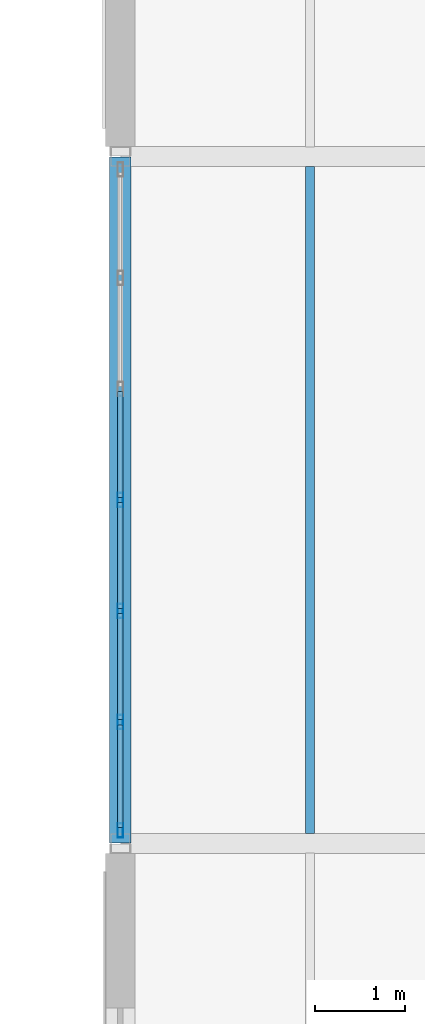
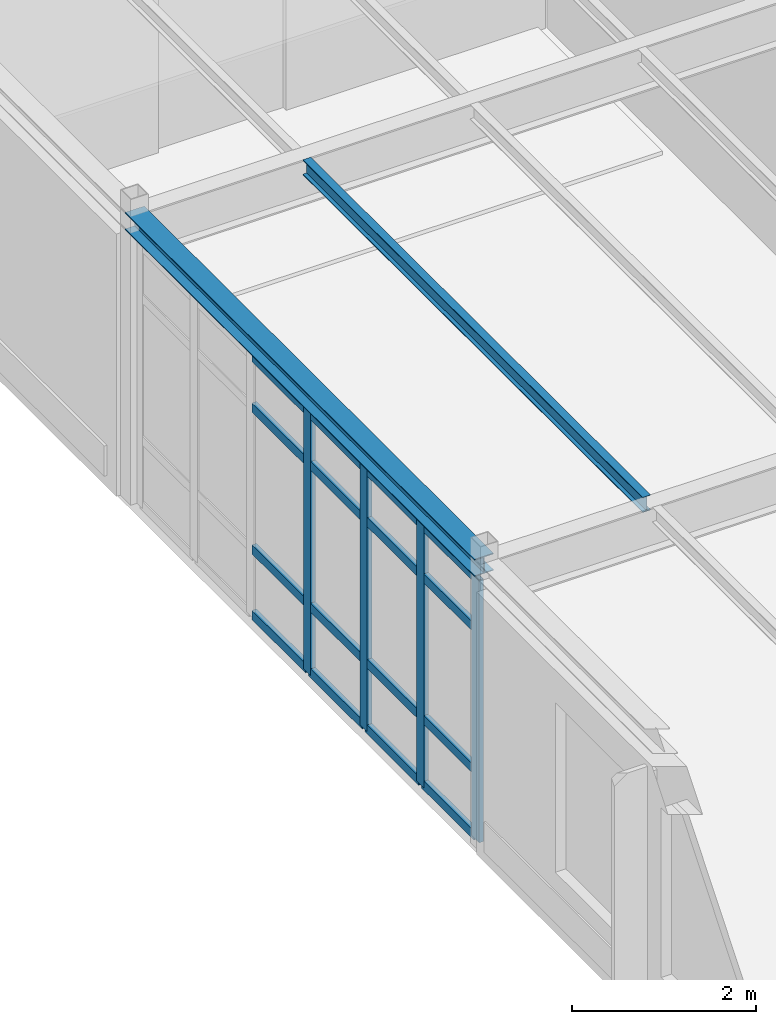
# One storey, part 36 of 114: 20 members, 2 beams, 1 element without a shape of its own.
"""IFC4 building model written with IfcOpenShell, lengths in metres."""

from ifc_helpers import new_model, si_unit, direction, frame, origin, origin_2d, place, context, subcontext, project, spatial, hollow_rectangle, i_section, extrude, material, layer, layer_set, material_profile, profile_set, type_object, element, aggregate, save


model = new_model("IFC4")

# Units and contexts
model_context = context("Model", 3, precision=1e-05, world=origin(), true_north=direction((0.0, 1.0)))
body_context = subcontext(model_context, "Body", "Model", "MODEL_VIEW")
ifc_project = project(units=[si_unit("LENGTHUNIT", "METRE"), si_unit("AREAUNIT", "SQUARE_METRE"), si_unit("VOLUMEUNIT", "CUBIC_METRE"), si_unit("PLANEANGLEUNIT", "RADIAN"), si_unit("MASSUNIT", "GRAM", prefix="KILO")], contexts=[model_context])

# Site, building, storey
site_placement = place(None, origin())
site = spatial("IfcSite", under=ifc_project, at=site_placement, CompositionType="ELEMENT")
building_placement = place(site_placement, origin())
building = spatial("IfcBuilding", under=site, at=building_placement, Name="Montecoro Central Library", CompositionType="ELEMENT")
storey_placement = place(building_placement, frame((0.0, 0.0, 13.260009765625)))
storey = spatial("IfcBuildingStorey", under=building, at=storey_placement, Name="L03", CompositionType="ELEMENT", Elevation=13.260009765625)

# Beams
ifc_material_1 = material(Name="Steel S355", Category="steel")
ifc_material_profile_1 = material_profile(ifc_material_1, i_section(OverallWidth=0.10009765625, OverallDepth=0.199951171875, WebThickness=0.005615234375, FlangeThickness=0.008544921875, at=origin_2d()), Name="IPE 200")
ifc_profile_set_1 = profile_set([ifc_material_profile_1], Name="Steel S355")
beam_type_1 = type_object("IfcBeamType", Name="BM-J-IPE200", PredefinedType="JOIST", material=ifc_profile_set_1)
beam_1_placement = place(storey_placement, frame((68.5, 96.306884765625, 3.72509765625), z_axis=(0.0, 1.0, 0.0), x_axis=(-1.0, 0.0, 0.0)))
element("IfcBeam", 1, at=beam_1_placement, inside=storey, type_object=beam_type_1, Name="V2-L03-JS-910-NP-1", PredefinedType="JOIST", context=body_context, shape_type="SweptSolid", body=[
    extrude(i_section(OverallWidth=0.10009765625, OverallDepth=0.199951171875, WebThickness=0.005615234375, FlangeThickness=0.008544921875, at=origin_2d()), origin(), (0.0, 0.0, 1.0), 7.38623046875),
])
ifc_material_profile_2 = material_profile(ifc_material_1, i_section(OverallWidth=0.239990234375, OverallDepth=0.22998046875, WebThickness=0.007568359375, FlangeThickness=0.011962890625, at=origin_2d()), Name="HEA 240")
ifc_profile_set_2 = profile_set([ifc_material_profile_2], Name="Steel S355")
beam_type_2 = type_object("IfcBeamType", Name="BM-SP-HEA240", PredefinedType="SPANDREL", material=ifc_profile_set_2)
beam_2_placement = place(storey_placement, frame((66.39990234375, 96.205078125, 3.7099609375), z_axis=(0.0, 1.0, 0.0), x_axis=(-1.0, 0.0, 0.0)))
element("IfcBeam", 2, at=beam_2_placement, inside=storey, type_object=beam_type_2, Name="V2-L03-BY-9-NP", PredefinedType="SPANDREL", context=body_context, shape_type="SweptSolid", body=[
    extrude(i_section(OverallWidth=0.239990234375, OverallDepth=0.22998046875, WebThickness=0.007568359375, FlangeThickness=0.011962890625, at=origin_2d()), origin(), (0.0, 0.0, 1.0), 7.58984375),
])

# Curtain wall, members
ifc_material_2 = material(Name="Bronze-anodised aluminium and low-E glazing", Category="aluminium")
ifc_layer = layer(ifc_material_2, 0.159912109375)
ifc_layer_set = layer_set([ifc_layer], Name="Bronze-anodised aluminium and low-E glazing")
curtain_wall_type = type_object("IfcCurtainWallType", Name="CWT-020", PredefinedType="NOTDEFINED", material=ifc_layer_set)
curtain_wall_placement = place(storey_placement, origin())
curtain_wall = element("IfcCurtainWall", 3, at=curtain_wall_placement, inside=storey, type_object=curtain_wall_type, Name="V2-L03-CW-W1", PredefinedType="NOTDEFINED")
ifc_material_3 = material(Name="Bronze-anodised aluminium", Category="aluminium")
ifc_material_profile_3 = material_profile(ifc_material_3, hollow_rectangle(XDim=0.06005859375, YDim=0.159912109375, WallThickness=0.00390625, at=origin_2d()), Name="CWM 160x60x4.0")
ifc_profile_set_3 = profile_set([ifc_material_profile_3], Name="Bronze-anodised aluminium")
member_type_1 = type_object("IfcMemberType", Name="CWM-BRZ-60", PredefinedType="MULLION", material=ifc_profile_set_3)
member_1_placement = place(storey_placement, frame((66.39990234375, 100.0, 0.0), z_axis=(0.0, 0.0, 1.0), x_axis=(1.0, 0.0, 0.0)))
member_1 = element("IfcMember", 4, at=member_1_placement, type_object=member_type_1, Name="CW-020 mullion 4", PredefinedType="MULLION", context=body_context, shape_type="SweptSolid", body=[
    extrude(hollow_rectangle(XDim=0.06005859375, YDim=0.159912109375, WallThickness=0.00390625, at=origin_2d()), origin(), (0.0, 0.0, 1.0), 3.47998046875),
])
member_2_placement = place(storey_placement, frame((66.39990234375, 98.77099609375, 0.0), z_axis=(0.0, 0.0, 1.0), x_axis=(1.0, 0.0, 0.0)))
member_2 = element("IfcMember", 5, at=member_2_placement, type_object=member_type_1, Name="CW-020 mullion 5", PredefinedType="MULLION", context=body_context, shape_type="SweptSolid", body=[
    extrude(hollow_rectangle(XDim=0.06005859375, YDim=0.159912109375, WallThickness=0.00390625, at=origin_2d()), origin(), (0.0, 0.0, 1.0), 3.47998046875),
])
member_3_placement = place(storey_placement, frame((66.39990234375, 97.5419921875, 0.0), z_axis=(0.0, 0.0, 1.0), x_axis=(1.0, 0.0, 0.0)))
member_3 = element("IfcMember", 6, at=member_3_placement, type_object=member_type_1, Name="CW-020 mullion 6", PredefinedType="MULLION", context=body_context, shape_type="SweptSolid", body=[
    extrude(hollow_rectangle(XDim=0.06005859375, YDim=0.159912109375, WallThickness=0.00390625, at=origin_2d()), origin(), (0.0, 0.0, 1.0), 3.47998046875),
])
member_4_placement = place(storey_placement, frame((66.39990234375, 96.343017578125, 0.0), z_axis=(0.0, 0.0, 1.0), x_axis=(1.0, 0.0, 0.0)))
member_4 = element("IfcMember", 7, at=member_4_placement, type_object=member_type_1, Name="CW-020 mullion 7", PredefinedType="MULLION", context=body_context, shape_type="SweptSolid", body=[
    extrude(hollow_rectangle(XDim=0.06005859375, YDim=0.159912109375, WallThickness=0.00390625, at=origin_2d()), origin(), (0.0, 0.0, 1.0), 3.47998046875),
])
ifc_material_profile_4 = material_profile(ifc_material_3, hollow_rectangle(XDim=0.06005859375, YDim=0.1201171875, WallThickness=0.00390625, at=origin_2d()), Name="CWT 120x60x4.0")
ifc_profile_set_4 = profile_set([ifc_material_profile_4], Name="Bronze-anodised aluminium")
member_type_2 = type_object("IfcMemberType", Name="CWT-BRZ-60", PredefinedType="USERDEFINED", material=ifc_profile_set_4)
member_5_placement = place(storey_placement, frame((66.39990234375, 101.198974609375, 0.030029296875), z_axis=(0.0, -1.0, 0.0), x_axis=(1.0, 0.0, 0.0)))
member_5 = element("IfcMember", 8, at=member_5_placement, type_object=member_type_2, Name="CW-020 transom 3.1", ObjectType="TRANSOM", PredefinedType="USERDEFINED", context=body_context, shape_type="SweptSolid", body=[
    extrude(hollow_rectangle(XDim=0.06005859375, YDim=0.1201171875, WallThickness=0.00390625, at=origin_2d()), origin(), (0.0, 0.0, 1.0), 1.1689453125),
])
member_6_placement = place(storey_placement, frame((66.39990234375, 101.198974609375, 0.89990234375), z_axis=(0.0, -1.0, 0.0), x_axis=(1.0, 0.0, 0.0)))
member_6 = element("IfcMember", 9, at=member_6_placement, type_object=member_type_2, Name="CW-020 transom 3.2", ObjectType="TRANSOM", PredefinedType="USERDEFINED", context=body_context, shape_type="SweptSolid", body=[
    extrude(hollow_rectangle(XDim=0.06005859375, YDim=0.1201171875, WallThickness=0.00390625, at=origin_2d()), origin(), (0.0, 0.0, 1.0), 1.1689453125),
])
member_7_placement = place(storey_placement, frame((66.39990234375, 101.198974609375, 2.780029296875), z_axis=(0.0, -1.0, 0.0), x_axis=(1.0, 0.0, 0.0)))
member_7 = element("IfcMember", 10, at=member_7_placement, type_object=member_type_2, Name="CW-020 transom 3.3", ObjectType="TRANSOM", PredefinedType="USERDEFINED", context=body_context, shape_type="SweptSolid", body=[
    extrude(hollow_rectangle(XDim=0.06005859375, YDim=0.1201171875, WallThickness=0.00390625, at=origin_2d()), origin(), (0.0, 0.0, 1.0), 1.1689453125),
])
member_8_placement = place(storey_placement, frame((66.39990234375, 101.198974609375, 3.449951171875), z_axis=(0.0, -1.0, 0.0), x_axis=(1.0, 0.0, 0.0)))
member_8 = element("IfcMember", 11, at=member_8_placement, type_object=member_type_2, Name="CW-020 transom 3.4", ObjectType="TRANSOM", PredefinedType="USERDEFINED", context=body_context, shape_type="SweptSolid", body=[
    extrude(hollow_rectangle(XDim=0.06005859375, YDim=0.1201171875, WallThickness=0.00390625, at=origin_2d()), origin(), (0.0, 0.0, 1.0), 1.1689453125),
])
member_9_placement = place(storey_placement, frame((66.39990234375, 99.969970703125, 0.030029296875), z_axis=(0.0, -1.0, 0.0), x_axis=(1.0, 0.0, 0.0)))
member_9 = element("IfcMember", 12, at=member_9_placement, type_object=member_type_2, Name="CW-020 transom 4.1", ObjectType="TRANSOM", PredefinedType="USERDEFINED", context=body_context, shape_type="SweptSolid", body=[
    extrude(hollow_rectangle(XDim=0.06005859375, YDim=0.1201171875, WallThickness=0.00390625, at=origin_2d()), origin(), (0.0, 0.0, 1.0), 1.1689453125),
])
member_10_placement = place(storey_placement, frame((66.39990234375, 99.969970703125, 0.89990234375), z_axis=(0.0, -1.0, 0.0), x_axis=(1.0, 0.0, 0.0)))
member_10 = element("IfcMember", 13, at=member_10_placement, type_object=member_type_2, Name="CW-020 transom 4.2", ObjectType="TRANSOM", PredefinedType="USERDEFINED", context=body_context, shape_type="SweptSolid", body=[
    extrude(hollow_rectangle(XDim=0.06005859375, YDim=0.1201171875, WallThickness=0.00390625, at=origin_2d()), origin(), (0.0, 0.0, 1.0), 1.1689453125),
])
member_11_placement = place(storey_placement, frame((66.39990234375, 99.969970703125, 2.780029296875), z_axis=(0.0, -1.0, 0.0), x_axis=(1.0, 0.0, 0.0)))
member_11 = element("IfcMember", 14, at=member_11_placement, type_object=member_type_2, Name="CW-020 transom 4.3", ObjectType="TRANSOM", PredefinedType="USERDEFINED", context=body_context, shape_type="SweptSolid", body=[
    extrude(hollow_rectangle(XDim=0.06005859375, YDim=0.1201171875, WallThickness=0.00390625, at=origin_2d()), origin(), (0.0, 0.0, 1.0), 1.1689453125),
])
member_12_placement = place(storey_placement, frame((66.39990234375, 99.969970703125, 3.449951171875), z_axis=(0.0, -1.0, 0.0), x_axis=(1.0, 0.0, 0.0)))
member_12 = element("IfcMember", 15, at=member_12_placement, type_object=member_type_2, Name="CW-020 transom 4.4", ObjectType="TRANSOM", PredefinedType="USERDEFINED", context=body_context, shape_type="SweptSolid", body=[
    extrude(hollow_rectangle(XDim=0.06005859375, YDim=0.1201171875, WallThickness=0.00390625, at=origin_2d()), origin(), (0.0, 0.0, 1.0), 1.1689453125),
])
member_13_placement = place(storey_placement, frame((66.39990234375, 98.740966796875, 0.030029296875), z_axis=(0.0, -1.0, 0.0), x_axis=(1.0, 0.0, 0.0)))
member_13 = element("IfcMember", 16, at=member_13_placement, type_object=member_type_2, Name="CW-020 transom 5.1", ObjectType="TRANSOM", PredefinedType="USERDEFINED", context=body_context, shape_type="SweptSolid", body=[
    extrude(hollow_rectangle(XDim=0.06005859375, YDim=0.1201171875, WallThickness=0.00390625, at=origin_2d()), origin(), (0.0, 0.0, 1.0), 1.1689453125),
])
member_14_placement = place(storey_placement, frame((66.39990234375, 98.740966796875, 0.89990234375), z_axis=(0.0, -1.0, 0.0), x_axis=(1.0, 0.0, 0.0)))
member_14 = element("IfcMember", 17, at=member_14_placement, type_object=member_type_2, Name="CW-020 transom 5.2", ObjectType="TRANSOM", PredefinedType="USERDEFINED", context=body_context, shape_type="SweptSolid", body=[
    extrude(hollow_rectangle(XDim=0.06005859375, YDim=0.1201171875, WallThickness=0.00390625, at=origin_2d()), origin(), (0.0, 0.0, 1.0), 1.1689453125),
])
member_15_placement = place(storey_placement, frame((66.39990234375, 98.740966796875, 2.780029296875), z_axis=(0.0, -1.0, 0.0), x_axis=(1.0, 0.0, 0.0)))
member_15 = element("IfcMember", 18, at=member_15_placement, type_object=member_type_2, Name="CW-020 transom 5.3", ObjectType="TRANSOM", PredefinedType="USERDEFINED", context=body_context, shape_type="SweptSolid", body=[
    extrude(hollow_rectangle(XDim=0.06005859375, YDim=0.1201171875, WallThickness=0.00390625, at=origin_2d()), origin(), (0.0, 0.0, 1.0), 1.1689453125),
])
member_16_placement = place(storey_placement, frame((66.39990234375, 98.740966796875, 3.449951171875), z_axis=(0.0, -1.0, 0.0), x_axis=(1.0, 0.0, 0.0)))
member_16 = element("IfcMember", 19, at=member_16_placement, type_object=member_type_2, Name="CW-020 transom 5.4", ObjectType="TRANSOM", PredefinedType="USERDEFINED", context=body_context, shape_type="SweptSolid", body=[
    extrude(hollow_rectangle(XDim=0.06005859375, YDim=0.1201171875, WallThickness=0.00390625, at=origin_2d()), origin(), (0.0, 0.0, 1.0), 1.1689453125),
])
member_17_placement = place(storey_placement, frame((66.39990234375, 97.511962890625, 0.030029296875), z_axis=(0.0, -1.0, 0.0), x_axis=(1.0, 0.0, 0.0)))
member_17 = element("IfcMember", 20, at=member_17_placement, type_object=member_type_2, Name="CW-020 transom 6.1", ObjectType="TRANSOM", PredefinedType="USERDEFINED", context=body_context, shape_type="SweptSolid", body=[
    extrude(hollow_rectangle(XDim=0.06005859375, YDim=0.1201171875, WallThickness=0.00390625, at=origin_2d()), origin(), (0.0, 0.0, 1.0), 1.138916015625),
])
member_18_placement = place(storey_placement, frame((66.39990234375, 97.511962890625, 0.89990234375), z_axis=(0.0, -1.0, 0.0), x_axis=(1.0, 0.0, 0.0)))
member_18 = element("IfcMember", 21, at=member_18_placement, type_object=member_type_2, Name="CW-020 transom 6.2", ObjectType="TRANSOM", PredefinedType="USERDEFINED", context=body_context, shape_type="SweptSolid", body=[
    extrude(hollow_rectangle(XDim=0.06005859375, YDim=0.1201171875, WallThickness=0.00390625, at=origin_2d()), origin(), (0.0, 0.0, 1.0), 1.138916015625),
])
member_19_placement = place(storey_placement, frame((66.39990234375, 97.511962890625, 2.780029296875), z_axis=(0.0, -1.0, 0.0), x_axis=(1.0, 0.0, 0.0)))
member_19 = element("IfcMember", 22, at=member_19_placement, type_object=member_type_2, Name="CW-020 transom 6.3", ObjectType="TRANSOM", PredefinedType="USERDEFINED", context=body_context, shape_type="SweptSolid", body=[
    extrude(hollow_rectangle(XDim=0.06005859375, YDim=0.1201171875, WallThickness=0.00390625, at=origin_2d()), origin(), (0.0, 0.0, 1.0), 1.138916015625),
])
member_20_placement = place(storey_placement, frame((66.39990234375, 97.511962890625, 3.449951171875), z_axis=(0.0, -1.0, 0.0), x_axis=(1.0, 0.0, 0.0)))
member_20 = element("IfcMember", 23, at=member_20_placement, type_object=member_type_2, Name="CW-020 transom 6.4", ObjectType="TRANSOM", PredefinedType="USERDEFINED", context=body_context, shape_type="SweptSolid", body=[
    extrude(hollow_rectangle(XDim=0.06005859375, YDim=0.1201171875, WallThickness=0.00390625, at=origin_2d()), origin(), (0.0, 0.0, 1.0), 1.138916015625),
])
aggregate(curtain_wall, [member_1, member_2, member_3, member_4, member_5, member_6, member_7, member_8, member_9, member_10, member_11, member_12, member_13, member_14, member_15, member_16, member_17, member_18, member_19, member_20])

save(model, "model.ifc")
